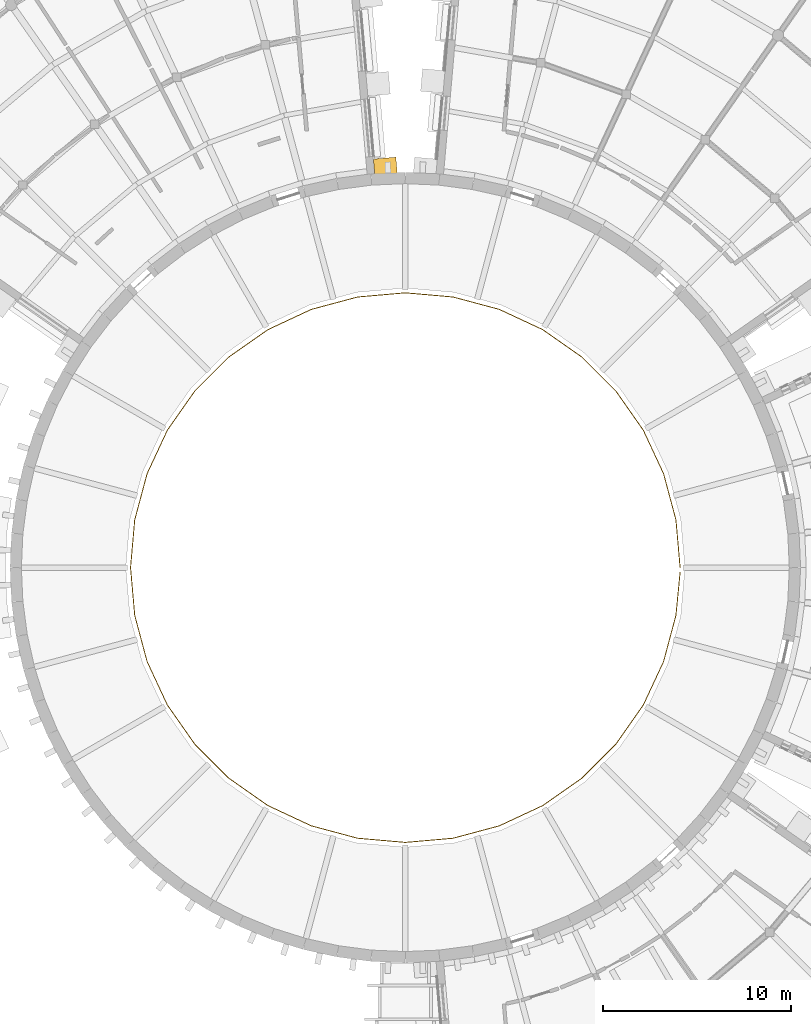
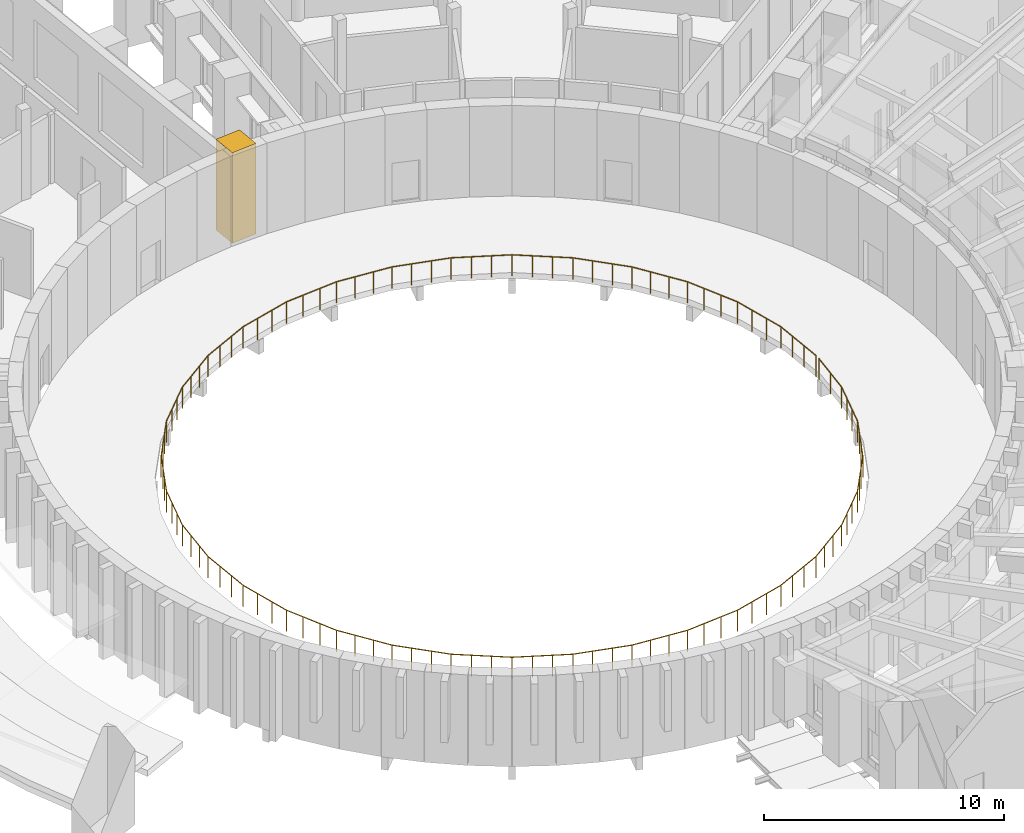
# One storey, part 40 of 50: 1 covering, 1 railing.
"""IFC4 building model written with IfcOpenShell, lengths in metres."""

import ifcopenshell
import ifcopenshell.guid

model = None  # the IFC model being written
_history = None  # IfcOwnerHistory: only IFC2X3 demands one
_inside = {}  # id of a spatial element -> (the spatial element, [elements in it])
_under = {}  # id of a project, library or spatial element -> (it, [spatial elements below it])
_declared = {}  # id of a project -> (the project, [libraries it declares])
_typed = {}  # id of a type object -> (the type object, [elements of that type])
_made_of = {}  # id of a material, layer set ... -> (it, [elements and type objects made of it])


def new_model(schema):
    """Start an empty IFC model of exactly this schema.

    Asked for "IFC4X3", IfcOpenShell would pick the latest addendum, in which some entities
    have other attributes; the version numbers below select the first issue.
    IFC2X3 requires an IfcOwnerHistory on every rooted entity: one is made here for all.
    """
    global model, _history
    if schema == "IFC4X3":
        model = ifcopenshell.file(schema_version=(4, 3, 0, 0))
    else:
        model = ifcopenshell.file(schema=schema)
    _inside.clear()
    _under.clear()
    _declared.clear()
    _typed.clear()
    _made_of.clear()
    _history = None
    if model.schema == "IFC2X3":
        org = make("IfcOrganization", Name="unknown")
        user = make(
            "IfcPersonAndOrganization",
            ThePerson=make("IfcPerson", FamilyName="unknown"),
            TheOrganization=org,
        )
        app = make(
            "IfcApplication",
            ApplicationDeveloper=org,
            Version="unknown",
            ApplicationFullName="unknown",
            ApplicationIdentifier="unknown",
        )
        _history = make(
            "IfcOwnerHistory",
            OwningUser=user,
            OwningApplication=app,
            ChangeAction="ADDED",
            CreationDate=0,
        )
    return model


def make(cls, **values):
    """One entity of the class cls with the attributes given. An attribute that is None is left unset."""
    return model.create_entity(
        cls, **{name: value for name, value in values.items() if value is not None}
    )


def rooted(cls, **values):
    """An entity with a GlobalId (a new one), such as an element, a storey or a relation."""
    return make(cls, GlobalId=ifcopenshell.guid.new(), OwnerHistory=_history, **values)


def si_unit(unit_type, name, prefix=None):
    """IfcSIUnit, for example si_unit("LENGTHUNIT", "METRE", prefix="MILLI")."""
    return make("IfcSIUnit", UnitType=unit_type, Prefix=prefix, Name=name)


def assignment(units):
    """IfcUnitAssignment: the units of a project."""
    return None if units is None else make("IfcUnitAssignment", Units=units)


def point(xyz):
    """IfcCartesianPoint."""
    return None if xyz is None else make("IfcCartesianPoint", Coordinates=xyz)


def direction(xyz):
    """IfcDirection."""
    return None if xyz is None else make("IfcDirection", DirectionRatios=xyz)


def frame(location, z_axis=None, x_axis=None):
    """IfcAxis2Placement3D, a coordinate frame: its origin and axes. An axis left out is left unset."""
    return make(
        "IfcAxis2Placement3D",
        Location=point(location),
        Axis=direction(z_axis),
        RefDirection=direction(x_axis),
    )


def frame_2d(location, x_axis=None):
    """IfcAxis2Placement2D, a coordinate frame in the plane: its origin and x axis."""
    return make(
        "IfcAxis2Placement2D", Location=point(location), RefDirection=direction(x_axis)
    )


def origin():
    """The frame at (0, 0, 0) with its axes left unset."""
    return frame((0.0, 0.0, 0.0))


def origin_2d():
    """The frame at (0, 0) in the plane with its x axis left unset."""
    return frame_2d((0.0, 0.0))


def place(relative_to, where):
    """IfcLocalPlacement: puts the frame where relative to a parent placement (None: the world)."""
    return make(
        "IfcLocalPlacement", PlacementRelTo=relative_to, RelativePlacement=where
    )


def context(
    kind, dimensions, precision=None, world=None, true_north=None, identifier=None
):
    """IfcGeometricRepresentationContext, for example the 3D "Model" context."""
    return make(
        "IfcGeometricRepresentationContext",
        ContextIdentifier=identifier,
        ContextType=kind,
        CoordinateSpaceDimension=dimensions,
        Precision=precision,
        WorldCoordinateSystem=world,
        TrueNorth=true_north,
    )


def subcontext(parent, identifier, kind, view, scale=None):
    """IfcGeometricRepresentationSubContext, for example "Body" below "Model"."""
    return make(
        "IfcGeometricRepresentationSubContext",
        ContextIdentifier=identifier,
        ContextType=kind,
        ParentContext=parent,
        TargetScale=scale,
        TargetView=view,
    )


def project(units=None, contexts=None):
    """IfcProject with its units and contexts."""
    return rooted(
        "IfcProject",
        Name="project",
        RepresentationContexts=contexts,
        UnitsInContext=assignment(units),
    )


def spatial(cls, under=None, at=None, **own):
    """A site, building, storey or space (cls), placed at a placement, below another one or the project."""
    s = rooted(cls, ObjectPlacement=at, **own)
    if under is not None:
        _under.setdefault(under.id(), (under, []))[1].append(s)
    return s


def profile(cls, at=None, kind="AREA", **sizes):
    """A parametric profile (cls). Its sizes go by their IFC names, for example OverallWidth=200.0."""
    return make(cls, ProfileType=kind, Position=at, **sizes)


def rectangle(**sizes):
    """IfcRectangleProfileDef."""
    return profile("IfcRectangleProfileDef", **sizes)


def circle(**sizes):
    """IfcCircleProfileDef."""
    return profile("IfcCircleProfileDef", **sizes)


def extrude(swept, where, along, depth):
    """IfcExtrudedAreaSolid: the profile swept, set in the frame where, extruded along a direction by depth."""
    return make(
        "IfcExtrudedAreaSolid",
        SweptArea=swept,
        Position=where,
        ExtrudedDirection=direction(along),
        Depth=depth,
    )


def shape(context_of_items, identifier, shape_type, items):
    """IfcShapeRepresentation: the items that make up one representation, for example the "Body"."""
    return make(
        "IfcShapeRepresentation",
        ContextOfItems=context_of_items,
        RepresentationIdentifier=identifier,
        RepresentationType=shape_type,
        Items=items,
    )


def material(Name=None, Category=None):
    """IfcMaterial."""
    return make("IfcMaterial", Name=Name, Category=Category)


def made_of(thing, what):
    """Note that an element or type object is made of a material, layer set ...; save() writes the relation."""
    if what is not None:
        _made_of.setdefault(what.id(), (what, []))[1].append(thing)
    return thing


def type_object(cls, material=None, **own):
    """A type object (cls), such as IfcWallType, which elements share."""
    return made_of(rooted(cls, **own), material)


def element(
    cls,
    number,
    at=None,
    inside=None,
    cuts=None,
    type_object=None,
    material=None,
    context=None,
    identifier="Body",
    shape_type=None,
    held_by="IfcProductDefinitionShape",
    body=None,
    shapes=None,
    **own,
):
    """One element of the class cls, such as IfcWall. Its Tag is "e" and its number.

    at: its placement. inside: the storey or other place that contains it. cuts: it is an
    opening in that element (IfcRelVoidsElement). A single representation is given by context,
    identifier, shape_type and body (its items); several are given by shapes. held_by: the class
    of the entity that holds the representations. save() writes the other relations.
    """
    e = rooted(cls, Tag="e%d" % number, ObjectPlacement=at, **own)
    if body is not None:
        shapes = [shape(context, identifier, shape_type, body)]
    if shapes is not None:
        e.Representation = make(held_by, Representations=shapes)
    if inside is not None:
        _inside.setdefault(inside.id(), (inside, []))[1].append(e)
    if cuts is not None:
        rooted(
            "IfcRelVoidsElement", RelatingBuildingElement=cuts, RelatedOpeningElement=e
        )
    if type_object is not None:
        _typed.setdefault(type_object.id(), (type_object, []))[1].append(e)
    return made_of(e, material)


def aggregate(whole, parts):
    """IfcRelAggregates: a whole, such as a stair, and the parts it consists of."""
    return rooted("IfcRelAggregates", RelatingObject=whole, RelatedObjects=parts)


def save(model, path):
    """Write the relations noted so far, then the file.

    IfcRelAggregates (storeys below a building ...), IfcRelContainedInSpatialStructure (elements
    in a storey), IfcRelDefinesByType, IfcRelAssociatesMaterial and IfcRelDeclares: one each for
    every whole, place, type object, material and project.
    """
    for whole, parts in _under.values():
        aggregate(whole, parts)
    for where, things in _inside.values():
        rooted(
            "IfcRelContainedInSpatialStructure",
            RelatedElements=things,
            RelatingStructure=where,
        )
    for kind, things in _typed.values():
        rooted("IfcRelDefinesByType", RelatedObjects=things, RelatingType=kind)
    for what, things in _made_of.values():
        rooted("IfcRelAssociatesMaterial", RelatedObjects=things, RelatingMaterial=what)
    for by, libraries in _declared.values():
        rooted("IfcRelDeclares", RelatingContext=by, RelatedDefinitions=libraries)
    model.write(path)


model = new_model("IFC4")

# Units and contexts
model_context = context("Model", 3, precision=1e-05, world=origin(), true_north=direction((0.0, 1.0)))
body_context = subcontext(model_context, "Body", "Model", "MODEL_VIEW")
ifc_project = project(units=[si_unit("LENGTHUNIT", "METRE"), si_unit("AREAUNIT", "SQUARE_METRE"), si_unit("VOLUMEUNIT", "CUBIC_METRE"), si_unit("PLANEANGLEUNIT", "RADIAN"), si_unit("MASSUNIT", "GRAM", prefix="KILO")], contexts=[model_context])

# Site, building, storey
site_placement = place(None, origin())
site = spatial("IfcSite", under=ifc_project, at=site_placement, CompositionType="ELEMENT")
building_placement = place(site_placement, origin())
building = spatial("IfcBuilding", under=site, at=building_placement, Name="Volute Hill Aquarium", CompositionType="ELEMENT")
storey_placement = place(building_placement, frame((0.0, 0.0, 9.199951171875)))
storey = spatial("IfcBuildingStorey", under=building, at=storey_placement, Name="L03", CompositionType="ELEMENT", Elevation=9.199951171875)

# Covering
ifc_material_1 = material(Name="Precast concrete C40/50", Category="concrete")
covering_type = type_object("IfcCoveringType", Name="End wall precast fin C40/50 1200x1200", PredefinedType="CLADDING", material=ifc_material_1)
covering_placement = place(storey_placement, frame((-1.048095703125, 21.1591796875, 0.0), z_axis=(0.0, 0.0, 1.0), x_axis=(-0.08715511842, 0.996194752713, 0.0)))
element("IfcCovering", 1, at=covering_placement, inside=storey, type_object=covering_type, Name="End wall fin EWF S6A L03 1", PredefinedType="CLADDING", context=body_context, shape_type="SweptSolid", body=[
    extrude(rectangle(XDim=1.199951171875, YDim=1.199951171875, at=origin_2d()), origin(), (0.0, 0.0, 1.0), 4.60009765625),
])

# Railing
ifc_material_2 = material(Name="Steel S355", Category="steel")
railing_type = type_object("IfcRailingType", Name="Tank rim guard 1100", PredefinedType="GUARDRAIL", material=ifc_material_2)
railing_placement = place(storey_placement, frame((14.60009765625, 0.0, 0.0)))
element("IfcRailing", 2, at=railing_placement, inside=storey, type_object=railing_type, Name="gd/TK/L03/1", PredefinedType="GUARDRAIL", context=body_context, shape_type="SweptSolid", body=[
    extrude(circle(Radius=0.02392578125, at=origin_2d()), frame((0.0, 0.0, 1.076171875), z_axis=(-0.087196699339, 0.996191114006, 0.0), x_axis=(-0.996191114006, -0.087196699339, 0.0)), (0.0, 0.0, 1.0), 2.545166015625),
    extrude(circle(Radius=0.02392578125, at=origin_2d()), frame((-0.221923828125, 2.535400390625, 1.076171875), z_axis=(-0.258844782673, 0.96591892956, 0.0), x_axis=(-0.96591892956, -0.258844782673, 0.0)), (0.0, 0.0, 1.0), 2.544677734375),
    extrude(circle(Radius=0.02392578125, at=origin_2d()), frame((-0.880615234375, 4.993408203125, 1.076171875), z_axis=(-0.422565093695, 0.906332577805, 0.0), x_axis=(-0.906332577805, -0.422565093695, 0.0)), (0.0, 0.0, 1.0), 2.544921875),
    extrude(circle(Radius=0.02392578125, at=origin_2d()), frame((-1.9560546875, 7.300048828125, 1.076171875), z_axis=(-0.573636156691, 0.819110224412, 0.0), x_axis=(-0.819110224412, -0.573636156691, 0.0)), (0.0, 0.0, 1.0), 2.545166015625),
    extrude(circle(Radius=0.02392578125, at=origin_2d()), frame((-3.416015625, 9.384765625, 1.076171875), z_axis=(-0.707106781187, 0.707106781187, 0.0), x_axis=(-0.707106781187, -0.707106781187, 0.0)), (0.0, 0.0, 1.0), 2.544677734375),
    extrude(circle(Radius=0.02392578125, at=origin_2d()), frame((-5.21533203125, 11.18408203125, 1.076171875), z_axis=(-0.819110224412, 0.573636156691, 0.0), x_axis=(-0.573636156691, -0.819110224412, 0.0)), (0.0, 0.0, 1.0), 2.545166015625),
    extrude(circle(Radius=0.02392578125, at=origin_2d()), frame((-7.300048828125, 12.64404296875, 1.076171875), z_axis=(-0.906332577805, 0.422565093695, 0.0), x_axis=(-0.422565093695, -0.906332577805, 0.0)), (0.0, 0.0, 1.0), 2.544921875),
    extrude(circle(Radius=0.02392578125, at=origin_2d()), frame((-9.606689453125, 13.719482421875, 1.076171875), z_axis=(-0.96591892956, 0.258844782673, 0.0), x_axis=(-0.258844782673, -0.96591892956, 0.0)), (0.0, 0.0, 1.0), 2.544677734375),
    extrude(circle(Radius=0.02392578125, at=origin_2d()), frame((-12.064697265625, 14.378173828125, 1.076171875), z_axis=(-0.996191114006, 0.087196699339, 0.0), x_axis=(-0.087196699339, -0.996191114006, 0.0)), (0.0, 0.0, 1.0), 2.545166015625),
    extrude(circle(Radius=0.02392578125, at=origin_2d()), frame((-14.60009765625, 14.60009765625, 1.076171875), z_axis=(-0.996191114006, -0.087196699339, 0.0), x_axis=(0.087196699339, -0.996191114006, 0.0)), (0.0, 0.0, 1.0), 2.545166015625),
    extrude(circle(Radius=0.02392578125, at=origin_2d()), frame((-17.135498046875, 14.378173828125, 1.076171875), z_axis=(-0.96591892956, -0.258844782673, 0.0), x_axis=(0.258844782673, -0.96591892956, 0.0)), (0.0, 0.0, 1.0), 2.544677734375),
    extrude(circle(Radius=0.02392578125, at=origin_2d()), frame((-19.593505859375, 13.719482421875, 1.076171875), z_axis=(-0.906332577805, -0.422565093695, 0.0), x_axis=(0.422565093695, -0.906332577805, 0.0)), (0.0, 0.0, 1.0), 2.544921875),
    extrude(circle(Radius=0.02392578125, at=origin_2d()), frame((-21.900146484375, 12.64404296875, 1.076171875), z_axis=(-0.819110224412, -0.573636156691, 0.0), x_axis=(0.573636156691, -0.819110224412, 0.0)), (0.0, 0.0, 1.0), 2.545166015625),
    extrude(circle(Radius=0.02392578125, at=origin_2d()), frame((-23.98486328125, 11.18408203125, 1.076171875), z_axis=(-0.707106781187, -0.707106781187, 0.0), x_axis=(0.707106781187, -0.707106781187, 0.0)), (0.0, 0.0, 1.0), 2.544677734375),
    extrude(circle(Radius=0.02392578125, at=origin_2d()), frame((-25.7841796875, 9.384765625, 1.076171875), z_axis=(-0.573636156691, -0.819110224412, 0.0), x_axis=(0.819110224412, -0.573636156691, 0.0)), (0.0, 0.0, 1.0), 2.545166015625),
    extrude(circle(Radius=0.02392578125, at=origin_2d()), frame((-27.244140625, 7.300048828125, 1.076171875), z_axis=(-0.422565093695, -0.906332577805, 0.0), x_axis=(0.906332577805, -0.422565093695, 0.0)), (0.0, 0.0, 1.0), 2.544921875),
    extrude(circle(Radius=0.02392578125, at=origin_2d()), frame((-28.319580078125, 4.993408203125, 1.076171875), z_axis=(-0.258844782673, -0.96591892956, 0.0), x_axis=(0.96591892956, -0.258844782673, 0.0)), (0.0, 0.0, 1.0), 2.544677734375),
    extrude(circle(Radius=0.02392578125, at=origin_2d()), frame((-28.978271484375, 2.535400390625, 1.076171875), z_axis=(-0.087196699339, -0.996191114006, 0.0), x_axis=(0.996191114006, -0.087196699339, 0.0)), (0.0, 0.0, 1.0), 2.545166015625),
    extrude(circle(Radius=0.02392578125, at=origin_2d()), frame((-29.2001953125, 0.0, 1.076171875), z_axis=(0.087196699339, -0.996191114006, 0.0), x_axis=(0.996191114006, 0.087196699339, 0.0)), (0.0, 0.0, 1.0), 2.545166015625),
    extrude(circle(Radius=0.02392578125, at=origin_2d()), frame((-28.978271484375, -2.535400390625, 1.076171875), z_axis=(0.258844782673, -0.96591892956, 0.0), x_axis=(0.96591892956, 0.258844782673, 0.0)), (0.0, 0.0, 1.0), 2.544677734375),
    extrude(circle(Radius=0.02392578125, at=origin_2d()), frame((-28.319580078125, -4.993408203125, 1.076171875), z_axis=(0.422565093695, -0.906332577805, 0.0), x_axis=(0.906332577805, 0.422565093695, 0.0)), (0.0, 0.0, 1.0), 2.544921875),
    extrude(circle(Radius=0.02392578125, at=origin_2d()), frame((-27.244140625, -7.300048828125, 1.076171875), z_axis=(0.573636156691, -0.819110224412, 0.0), x_axis=(0.819110224412, 0.573636156691, 0.0)), (0.0, 0.0, 1.0), 2.545166015625),
    extrude(circle(Radius=0.02392578125, at=origin_2d()), frame((-25.7841796875, -9.384765625, 1.076171875), z_axis=(0.707106781187, -0.707106781187, 0.0), x_axis=(0.707106781187, 0.707106781187, 0.0)), (0.0, 0.0, 1.0), 2.544677734375),
    extrude(circle(Radius=0.02392578125, at=origin_2d()), frame((-23.98486328125, -11.18408203125, 1.076171875), z_axis=(0.819110224412, -0.573636156691, 0.0), x_axis=(0.573636156691, 0.819110224412, 0.0)), (0.0, 0.0, 1.0), 2.545166015625),
    extrude(circle(Radius=0.02392578125, at=origin_2d()), frame((-21.900146484375, -12.64404296875, 1.076171875), z_axis=(0.906332577805, -0.422565093695, 0.0), x_axis=(0.422565093695, 0.906332577805, 0.0)), (0.0, 0.0, 1.0), 2.544921875),
    extrude(circle(Radius=0.02392578125, at=origin_2d()), frame((-19.593505859375, -13.719482421875, 1.076171875), z_axis=(0.96591892956, -0.258844782673, 0.0), x_axis=(0.258844782673, 0.96591892956, 0.0)), (0.0, 0.0, 1.0), 2.544677734375),
    extrude(circle(Radius=0.02392578125, at=origin_2d()), frame((-17.135498046875, -14.378173828125, 1.076171875), z_axis=(0.996191114006, -0.087196699339, 0.0), x_axis=(0.087196699339, 0.996191114006, 0.0)), (0.0, 0.0, 1.0), 2.545166015625),
    extrude(circle(Radius=0.02392578125, at=origin_2d()), frame((-14.60009765625, -14.60009765625, 1.076171875), z_axis=(0.996191114006, 0.087196699339, 0.0), x_axis=(-0.087196699339, 0.996191114006, 0.0)), (0.0, 0.0, 1.0), 2.545166015625),
    extrude(circle(Radius=0.02392578125, at=origin_2d()), frame((-12.064697265625, -14.378173828125, 1.076171875), z_axis=(0.96591892956, 0.258844782673, 0.0), x_axis=(-0.258844782673, 0.96591892956, 0.0)), (0.0, 0.0, 1.0), 2.544677734375),
    extrude(circle(Radius=0.02392578125, at=origin_2d()), frame((-9.606689453125, -13.719482421875, 1.076171875), z_axis=(0.906332577805, 0.422565093695, 0.0), x_axis=(-0.422565093695, 0.906332577805, 0.0)), (0.0, 0.0, 1.0), 2.544921875),
    extrude(circle(Radius=0.02392578125, at=origin_2d()), frame((-7.300048828125, -12.64404296875, 1.076171875), z_axis=(0.819110224412, 0.573636156691, 0.0), x_axis=(-0.573636156691, 0.819110224412, 0.0)), (0.0, 0.0, 1.0), 2.545166015625),
    extrude(circle(Radius=0.02392578125, at=origin_2d()), frame((-5.21533203125, -11.18408203125, 1.076171875), z_axis=(0.707106781187, 0.707106781187, 0.0), x_axis=(-0.707106781187, 0.707106781187, 0.0)), (0.0, 0.0, 1.0), 2.544677734375),
    extrude(circle(Radius=0.02392578125, at=origin_2d()), frame((-3.416015625, -9.384765625, 1.076171875), z_axis=(0.573636156691, 0.819110224412, 0.0), x_axis=(-0.819110224412, 0.573636156691, 0.0)), (0.0, 0.0, 1.0), 2.545166015625),
    extrude(circle(Radius=0.02392578125, at=origin_2d()), frame((-1.9560546875, -7.300048828125, 1.076171875), z_axis=(0.422565093695, 0.906332577805, 0.0), x_axis=(-0.906332577805, 0.422565093695, 0.0)), (0.0, 0.0, 1.0), 2.544921875),
    extrude(circle(Radius=0.02392578125, at=origin_2d()), frame((-0.880615234375, -4.993408203125, 1.076171875), z_axis=(0.258844782673, 0.96591892956, 0.0), x_axis=(-0.96591892956, 0.258844782673, 0.0)), (0.0, 0.0, 1.0), 2.544677734375),
    extrude(circle(Radius=0.02392578125, at=origin_2d()), frame((-0.221923828125, -2.535400390625, 1.076171875), z_axis=(0.095905300978, 0.995390462705, 0.0), x_axis=(-0.995390462705, 0.095905300978, 0.0)), (0.0, 0.0, 1.0), 2.291015625),
    extrude(circle(Radius=0.02099609375, at=origin_2d()), origin(), (0.0, 0.0, 1.0), 1.052001953125),
    extrude(circle(Radius=0.02099609375, at=origin_2d()), frame((-0.073974609375, 0.84521484375, 0.0)), (0.0, 0.0, 1.0), 1.052001953125),
    extrude(circle(Radius=0.02099609375, at=origin_2d()), frame((-0.14794921875, 1.690185546875, 0.0)), (0.0, 0.0, 1.0), 1.052001953125),
    extrude(circle(Radius=0.02099609375, at=origin_2d()), frame((-0.221923828125, 2.535400390625, 0.0)), (0.0, 0.0, 1.0), 1.052001953125),
    extrude(circle(Radius=0.02099609375, at=origin_2d()), frame((-0.44140625, 3.354736328125, 0.0)), (0.0, 0.0, 1.0), 1.052001953125),
    extrude(circle(Radius=0.02099609375, at=origin_2d()), frame((-0.6611328125, 4.174072265625, 0.0)), (0.0, 0.0, 1.0), 1.052001953125),
    extrude(circle(Radius=0.02099609375, at=origin_2d()), frame((-0.880615234375, 4.993408203125, 0.0)), (0.0, 0.0, 1.0), 1.052001953125),
    extrude(circle(Radius=0.02099609375, at=origin_2d()), frame((-1.239013671875, 5.76220703125, 0.0)), (0.0, 0.0, 1.0), 1.052001953125),
    extrude(circle(Radius=0.02099609375, at=origin_2d()), frame((-1.59765625, 6.53125, 0.0)), (0.0, 0.0, 1.0), 1.052001953125),
    extrude(circle(Radius=0.02099609375, at=origin_2d()), frame((-1.9560546875, 7.300048828125, 0.0)), (0.0, 0.0, 1.0), 1.052001953125),
    extrude(circle(Radius=0.02099609375, at=origin_2d()), frame((-2.442626953125, 7.994873046875, 0.0)), (0.0, 0.0, 1.0), 1.052001953125),
    extrude(circle(Radius=0.02099609375, at=origin_2d()), frame((-2.929443359375, 8.68994140625, 0.0)), (0.0, 0.0, 1.0), 1.052001953125),
    extrude(circle(Radius=0.02099609375, at=origin_2d()), frame((-3.416015625, 9.384765625, 0.0)), (0.0, 0.0, 1.0), 1.052001953125),
    extrude(circle(Radius=0.02099609375, at=origin_2d()), frame((-4.015869140625, 9.984619140625, 0.0)), (0.0, 0.0, 1.0), 1.052001953125),
    extrude(circle(Radius=0.02099609375, at=origin_2d()), frame((-4.615478515625, 10.584228515625, 0.0)), (0.0, 0.0, 1.0), 1.052001953125),
    extrude(circle(Radius=0.02099609375, at=origin_2d()), frame((-5.21533203125, 11.18408203125, 0.0)), (0.0, 0.0, 1.0), 1.052001953125),
    extrude(circle(Radius=0.02099609375, at=origin_2d()), frame((-5.91015625, 11.670654296875, 0.0)), (0.0, 0.0, 1.0), 1.052001953125),
    extrude(circle(Radius=0.02099609375, at=origin_2d()), frame((-6.605224609375, 12.157470703125, 0.0)), (0.0, 0.0, 1.0), 1.052001953125),
    extrude(circle(Radius=0.02099609375, at=origin_2d()), frame((-7.300048828125, 12.64404296875, 0.0)), (0.0, 0.0, 1.0), 1.052001953125),
    extrude(circle(Radius=0.02099609375, at=origin_2d()), frame((-8.06884765625, 13.00244140625, 0.0)), (0.0, 0.0, 1.0), 1.052001953125),
    extrude(circle(Radius=0.02099609375, at=origin_2d()), frame((-8.837890625, 13.361083984375, 0.0)), (0.0, 0.0, 1.0), 1.052001953125),
    extrude(circle(Radius=0.02099609375, at=origin_2d()), frame((-9.606689453125, 13.719482421875, 0.0)), (0.0, 0.0, 1.0), 1.052001953125),
    extrude(circle(Radius=0.02099609375, at=origin_2d()), frame((-10.426025390625, 13.93896484375, 0.0)), (0.0, 0.0, 1.0), 1.052001953125),
    extrude(circle(Radius=0.02099609375, at=origin_2d()), frame((-11.245361328125, 14.15869140625, 0.0)), (0.0, 0.0, 1.0), 1.052001953125),
    extrude(circle(Radius=0.02099609375, at=origin_2d()), frame((-12.064697265625, 14.378173828125, 0.0)), (0.0, 0.0, 1.0), 1.052001953125),
    extrude(circle(Radius=0.02099609375, at=origin_2d()), frame((-12.909912109375, 14.4521484375, 0.0)), (0.0, 0.0, 1.0), 1.052001953125),
    extrude(circle(Radius=0.02099609375, at=origin_2d()), frame((-13.7548828125, 14.526123046875, 0.0)), (0.0, 0.0, 1.0), 1.052001953125),
    extrude(circle(Radius=0.02099609375, at=origin_2d()), frame((-14.60009765625, 14.60009765625, 0.0)), (0.0, 0.0, 1.0), 1.052001953125),
    extrude(circle(Radius=0.02099609375, at=origin_2d()), frame((-15.4453125, 14.526123046875, 0.0)), (0.0, 0.0, 1.0), 1.052001953125),
    extrude(circle(Radius=0.02099609375, at=origin_2d()), frame((-16.290283203125, 14.4521484375, 0.0)), (0.0, 0.0, 1.0), 1.052001953125),
    extrude(circle(Radius=0.02099609375, at=origin_2d()), frame((-17.135498046875, 14.378173828125, 0.0)), (0.0, 0.0, 1.0), 1.052001953125),
    extrude(circle(Radius=0.02099609375, at=origin_2d()), frame((-17.954833984375, 14.15869140625, 0.0)), (0.0, 0.0, 1.0), 1.052001953125),
    extrude(circle(Radius=0.02099609375, at=origin_2d()), frame((-18.774169921875, 13.93896484375, 0.0)), (0.0, 0.0, 1.0), 1.052001953125),
    extrude(circle(Radius=0.02099609375, at=origin_2d()), frame((-19.593505859375, 13.719482421875, 0.0)), (0.0, 0.0, 1.0), 1.052001953125),
    extrude(circle(Radius=0.02099609375, at=origin_2d()), frame((-20.3623046875, 13.361083984375, 0.0)), (0.0, 0.0, 1.0), 1.052001953125),
    extrude(circle(Radius=0.02099609375, at=origin_2d()), frame((-21.13134765625, 13.00244140625, 0.0)), (0.0, 0.0, 1.0), 1.052001953125),
    extrude(circle(Radius=0.02099609375, at=origin_2d()), frame((-21.900146484375, 12.64404296875, 0.0)), (0.0, 0.0, 1.0), 1.052001953125),
    extrude(circle(Radius=0.02099609375, at=origin_2d()), frame((-22.594970703125, 12.157470703125, 0.0)), (0.0, 0.0, 1.0), 1.052001953125),
    extrude(circle(Radius=0.02099609375, at=origin_2d()), frame((-23.2900390625, 11.670654296875, 0.0)), (0.0, 0.0, 1.0), 1.052001953125),
    extrude(circle(Radius=0.02099609375, at=origin_2d()), frame((-23.98486328125, 11.18408203125, 0.0)), (0.0, 0.0, 1.0), 1.052001953125),
    extrude(circle(Radius=0.02099609375, at=origin_2d()), frame((-24.584716796875, 10.584228515625, 0.0)), (0.0, 0.0, 1.0), 1.052001953125),
    extrude(circle(Radius=0.02099609375, at=origin_2d()), frame((-25.184326171875, 9.984619140625, 0.0)), (0.0, 0.0, 1.0), 1.052001953125),
    extrude(circle(Radius=0.02099609375, at=origin_2d()), frame((-25.7841796875, 9.384765625, 0.0)), (0.0, 0.0, 1.0), 1.052001953125),
    extrude(circle(Radius=0.02099609375, at=origin_2d()), frame((-26.270751953125, 8.68994140625, 0.0)), (0.0, 0.0, 1.0), 1.052001953125),
    extrude(circle(Radius=0.02099609375, at=origin_2d()), frame((-26.757568359375, 7.994873046875, 0.0)), (0.0, 0.0, 1.0), 1.052001953125),
    extrude(circle(Radius=0.02099609375, at=origin_2d()), frame((-27.244140625, 7.300048828125, 0.0)), (0.0, 0.0, 1.0), 1.052001953125),
    extrude(circle(Radius=0.02099609375, at=origin_2d()), frame((-27.6025390625, 6.53125, 0.0)), (0.0, 0.0, 1.0), 1.052001953125),
    extrude(circle(Radius=0.02099609375, at=origin_2d()), frame((-27.961181640625, 5.76220703125, 0.0)), (0.0, 0.0, 1.0), 1.052001953125),
    extrude(circle(Radius=0.02099609375, at=origin_2d()), frame((-28.319580078125, 4.993408203125, 0.0)), (0.0, 0.0, 1.0), 1.052001953125),
    extrude(circle(Radius=0.02099609375, at=origin_2d()), frame((-28.5390625, 4.174072265625, 0.0)), (0.0, 0.0, 1.0), 1.052001953125),
    extrude(circle(Radius=0.02099609375, at=origin_2d()), frame((-28.7587890625, 3.354736328125, 0.0)), (0.0, 0.0, 1.0), 1.052001953125),
    extrude(circle(Radius=0.02099609375, at=origin_2d()), frame((-28.978271484375, 2.535400390625, 0.0)), (0.0, 0.0, 1.0), 1.052001953125),
    extrude(circle(Radius=0.02099609375, at=origin_2d()), frame((-29.05224609375, 1.690185546875, 0.0)), (0.0, 0.0, 1.0), 1.052001953125),
    extrude(circle(Radius=0.02099609375, at=origin_2d()), frame((-29.126220703125, 0.84521484375, 0.0)), (0.0, 0.0, 1.0), 1.052001953125),
    extrude(circle(Radius=0.02099609375, at=origin_2d()), frame((-29.2001953125, 0.0, 0.0)), (0.0, 0.0, 1.0), 1.052001953125),
    extrude(circle(Radius=0.02099609375, at=origin_2d()), frame((-29.126220703125, -0.84521484375, 0.0)), (0.0, 0.0, 1.0), 1.052001953125),
    extrude(circle(Radius=0.02099609375, at=origin_2d()), frame((-29.05224609375, -1.690185546875, 0.0)), (0.0, 0.0, 1.0), 1.052001953125),
    extrude(circle(Radius=0.02099609375, at=origin_2d()), frame((-28.978271484375, -2.535400390625, 0.0)), (0.0, 0.0, 1.0), 1.052001953125),
    extrude(circle(Radius=0.02099609375, at=origin_2d()), frame((-28.7587890625, -3.354736328125, 0.0)), (0.0, 0.0, 1.0), 1.052001953125),
    extrude(circle(Radius=0.02099609375, at=origin_2d()), frame((-28.5390625, -4.174072265625, 0.0)), (0.0, 0.0, 1.0), 1.052001953125),
    extrude(circle(Radius=0.02099609375, at=origin_2d()), frame((-28.319580078125, -4.993408203125, 0.0)), (0.0, 0.0, 1.0), 1.052001953125),
    extrude(circle(Radius=0.02099609375, at=origin_2d()), frame((-27.961181640625, -5.76220703125, 0.0)), (0.0, 0.0, 1.0), 1.052001953125),
    extrude(circle(Radius=0.02099609375, at=origin_2d()), frame((-27.6025390625, -6.53125, 0.0)), (0.0, 0.0, 1.0), 1.052001953125),
    extrude(circle(Radius=0.02099609375, at=origin_2d()), frame((-27.244140625, -7.300048828125, 0.0)), (0.0, 0.0, 1.0), 1.052001953125),
    extrude(circle(Radius=0.02099609375, at=origin_2d()), frame((-26.757568359375, -7.994873046875, 0.0)), (0.0, 0.0, 1.0), 1.052001953125),
    extrude(circle(Radius=0.02099609375, at=origin_2d()), frame((-26.270751953125, -8.68994140625, 0.0)), (0.0, 0.0, 1.0), 1.052001953125),
    extrude(circle(Radius=0.02099609375, at=origin_2d()), frame((-25.7841796875, -9.384765625, 0.0)), (0.0, 0.0, 1.0), 1.052001953125),
    extrude(circle(Radius=0.02099609375, at=origin_2d()), frame((-25.184326171875, -9.984619140625, 0.0)), (0.0, 0.0, 1.0), 1.052001953125),
    extrude(circle(Radius=0.02099609375, at=origin_2d()), frame((-24.584716796875, -10.584228515625, 0.0)), (0.0, 0.0, 1.0), 1.052001953125),
    extrude(circle(Radius=0.02099609375, at=origin_2d()), frame((-23.98486328125, -11.18408203125, 0.0)), (0.0, 0.0, 1.0), 1.052001953125),
    extrude(circle(Radius=0.02099609375, at=origin_2d()), frame((-23.2900390625, -11.670654296875, 0.0)), (0.0, 0.0, 1.0), 1.052001953125),
    extrude(circle(Radius=0.02099609375, at=origin_2d()), frame((-22.594970703125, -12.157470703125, 0.0)), (0.0, 0.0, 1.0), 1.052001953125),
    extrude(circle(Radius=0.02099609375, at=origin_2d()), frame((-21.900146484375, -12.64404296875, 0.0)), (0.0, 0.0, 1.0), 1.052001953125),
    extrude(circle(Radius=0.02099609375, at=origin_2d()), frame((-21.13134765625, -13.00244140625, 0.0)), (0.0, 0.0, 1.0), 1.052001953125),
    extrude(circle(Radius=0.02099609375, at=origin_2d()), frame((-20.3623046875, -13.361083984375, 0.0)), (0.0, 0.0, 1.0), 1.052001953125),
    extrude(circle(Radius=0.02099609375, at=origin_2d()), frame((-19.593505859375, -13.719482421875, 0.0)), (0.0, 0.0, 1.0), 1.052001953125),
    extrude(circle(Radius=0.02099609375, at=origin_2d()), frame((-18.774169921875, -13.93896484375, 0.0)), (0.0, 0.0, 1.0), 1.052001953125),
    extrude(circle(Radius=0.02099609375, at=origin_2d()), frame((-17.954833984375, -14.15869140625, 0.0)), (0.0, 0.0, 1.0), 1.052001953125),
    extrude(circle(Radius=0.02099609375, at=origin_2d()), frame((-17.135498046875, -14.378173828125, 0.0)), (0.0, 0.0, 1.0), 1.052001953125),
    extrude(circle(Radius=0.02099609375, at=origin_2d()), frame((-16.290283203125, -14.4521484375, 0.0)), (0.0, 0.0, 1.0), 1.052001953125),
    extrude(circle(Radius=0.02099609375, at=origin_2d()), frame((-15.4453125, -14.526123046875, 0.0)), (0.0, 0.0, 1.0), 1.052001953125),
    extrude(circle(Radius=0.02099609375, at=origin_2d()), frame((-14.60009765625, -14.60009765625, 0.0)), (0.0, 0.0, 1.0), 1.052001953125),
    extrude(circle(Radius=0.02099609375, at=origin_2d()), frame((-13.7548828125, -14.526123046875, 0.0)), (0.0, 0.0, 1.0), 1.052001953125),
    extrude(circle(Radius=0.02099609375, at=origin_2d()), frame((-12.909912109375, -14.4521484375, 0.0)), (0.0, 0.0, 1.0), 1.052001953125),
    extrude(circle(Radius=0.02099609375, at=origin_2d()), frame((-12.064697265625, -14.378173828125, 0.0)), (0.0, 0.0, 1.0), 1.052001953125),
    extrude(circle(Radius=0.02099609375, at=origin_2d()), frame((-11.245361328125, -14.15869140625, 0.0)), (0.0, 0.0, 1.0), 1.052001953125),
    extrude(circle(Radius=0.02099609375, at=origin_2d()), frame((-10.426025390625, -13.93896484375, 0.0)), (0.0, 0.0, 1.0), 1.052001953125),
    extrude(circle(Radius=0.02099609375, at=origin_2d()), frame((-9.606689453125, -13.719482421875, 0.0)), (0.0, 0.0, 1.0), 1.052001953125),
    extrude(circle(Radius=0.02099609375, at=origin_2d()), frame((-8.837890625, -13.361083984375, 0.0)), (0.0, 0.0, 1.0), 1.052001953125),
    extrude(circle(Radius=0.02099609375, at=origin_2d()), frame((-8.06884765625, -13.00244140625, 0.0)), (0.0, 0.0, 1.0), 1.052001953125),
    extrude(circle(Radius=0.02099609375, at=origin_2d()), frame((-7.300048828125, -12.64404296875, 0.0)), (0.0, 0.0, 1.0), 1.052001953125),
    extrude(circle(Radius=0.02099609375, at=origin_2d()), frame((-6.605224609375, -12.157470703125, 0.0)), (0.0, 0.0, 1.0), 1.052001953125),
    extrude(circle(Radius=0.02099609375, at=origin_2d()), frame((-5.91015625, -11.670654296875, 0.0)), (0.0, 0.0, 1.0), 1.052001953125),
    extrude(circle(Radius=0.02099609375, at=origin_2d()), frame((-5.21533203125, -11.18408203125, 0.0)), (0.0, 0.0, 1.0), 1.052001953125),
    extrude(circle(Radius=0.02099609375, at=origin_2d()), frame((-4.615478515625, -10.584228515625, 0.0)), (0.0, 0.0, 1.0), 1.052001953125),
    extrude(circle(Radius=0.02099609375, at=origin_2d()), frame((-4.015869140625, -9.984619140625, 0.0)), (0.0, 0.0, 1.0), 1.052001953125),
    extrude(circle(Radius=0.02099609375, at=origin_2d()), frame((-3.416015625, -9.384765625, 0.0)), (0.0, 0.0, 1.0), 1.052001953125),
    extrude(circle(Radius=0.02099609375, at=origin_2d()), frame((-2.929443359375, -8.68994140625, 0.0)), (0.0, 0.0, 1.0), 1.052001953125),
    extrude(circle(Radius=0.02099609375, at=origin_2d()), frame((-2.442626953125, -7.994873046875, 0.0)), (0.0, 0.0, 1.0), 1.052001953125),
    extrude(circle(Radius=0.02099609375, at=origin_2d()), frame((-1.9560546875, -7.300048828125, 0.0)), (0.0, 0.0, 1.0), 1.052001953125),
    extrude(circle(Radius=0.02099609375, at=origin_2d()), frame((-1.59765625, -6.53125, 0.0)), (0.0, 0.0, 1.0), 1.052001953125),
    extrude(circle(Radius=0.02099609375, at=origin_2d()), frame((-1.239013671875, -5.76220703125, 0.0)), (0.0, 0.0, 1.0), 1.052001953125),
    extrude(circle(Radius=0.02099609375, at=origin_2d()), frame((-0.880615234375, -4.993408203125, 0.0)), (0.0, 0.0, 1.0), 1.052001953125),
    extrude(circle(Radius=0.02099609375, at=origin_2d()), frame((-0.6611328125, -4.174072265625, 0.0)), (0.0, 0.0, 1.0), 1.052001953125),
    extrude(circle(Radius=0.02099609375, at=origin_2d()), frame((-0.44140625, -3.354736328125, 0.0)), (0.0, 0.0, 1.0), 1.052001953125),
    extrude(circle(Radius=0.02099609375, at=origin_2d()), frame((-0.221923828125, -2.535400390625, 0.0)), (0.0, 0.0, 1.0), 1.052001953125),
    extrude(circle(Radius=0.02099609375, at=origin_2d()), frame((-0.112060546875, -1.39501953125, 0.0)), (0.0, 0.0, 1.0), 1.052001953125),
    extrude(circle(Radius=0.02099609375, at=origin_2d()), frame((-0.002197265625, -0.2548828125, 0.0)), (0.0, 0.0, 1.0), 1.052001953125),
])

save(model, "model.ifc")
